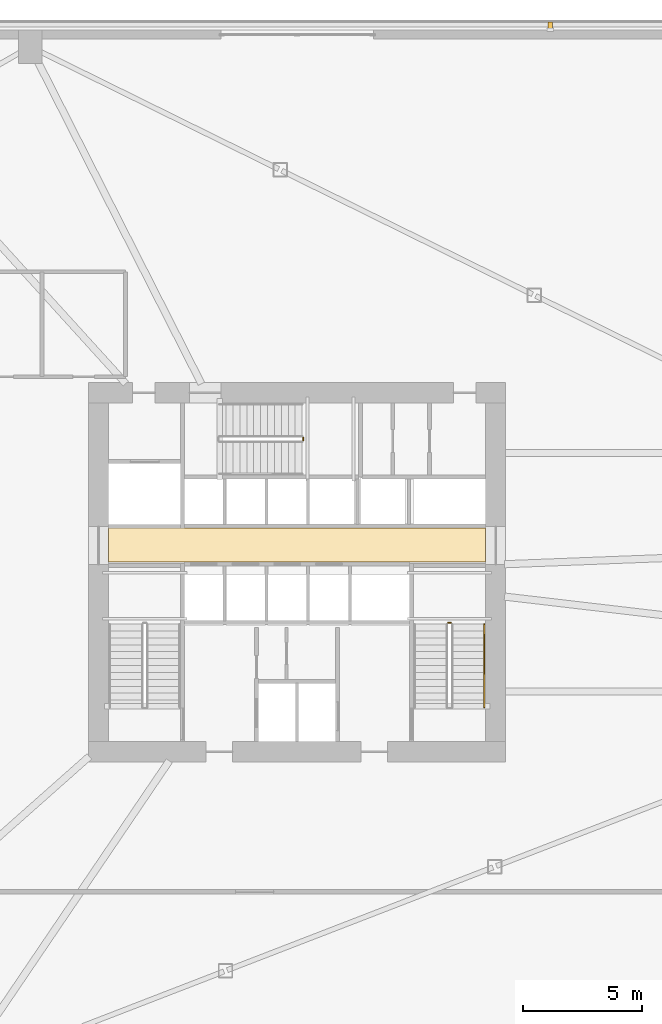
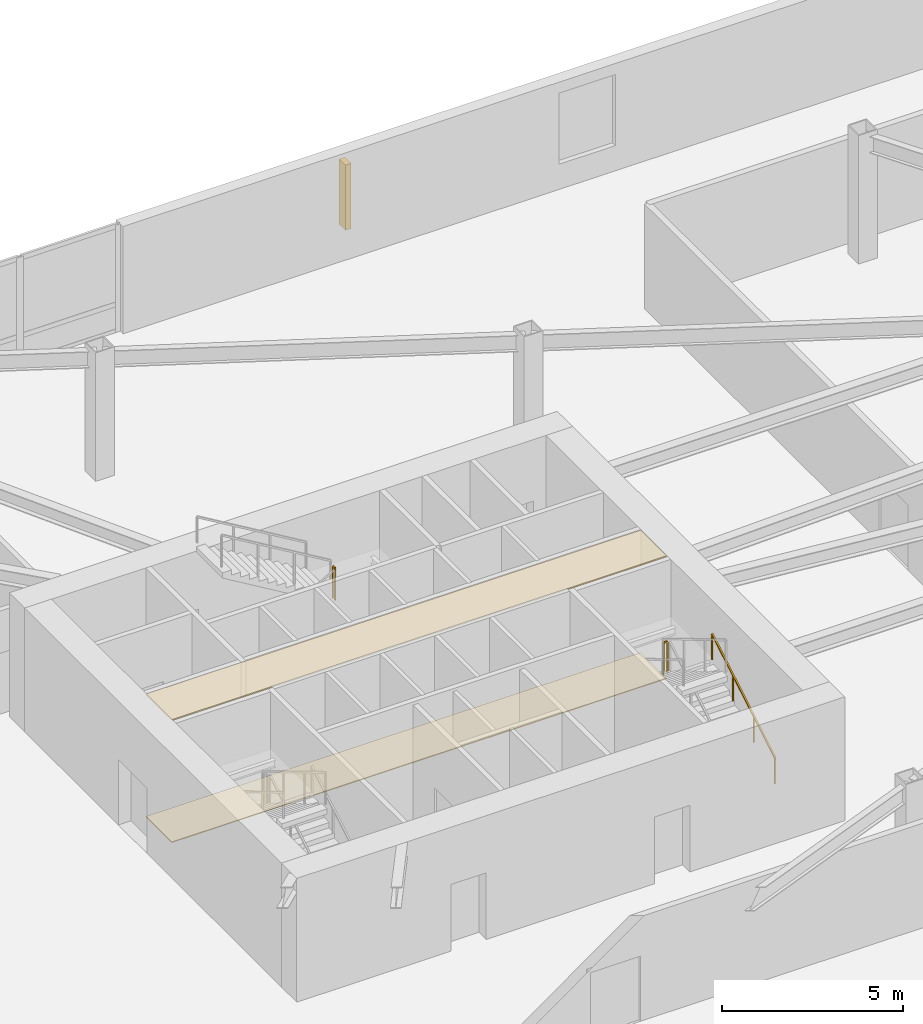
# One storey, part 15 of 16: 3 railings, 2 coverings, 1 shading device.
"""IFC4 building model written with IfcOpenShell, lengths in metres."""

import ifcopenshell
import ifcopenshell.guid

model = None  # the IFC model being written
_history = None  # IfcOwnerHistory: only IFC2X3 demands one
_inside = {}  # id of a spatial element -> (the spatial element, [elements in it])
_under = {}  # id of a project, library or spatial element -> (it, [spatial elements below it])
_declared = {}  # id of a project -> (the project, [libraries it declares])
_typed = {}  # id of a type object -> (the type object, [elements of that type])
_made_of = {}  # id of a material, layer set ... -> (it, [elements and type objects made of it])


def new_model(schema):
    """Start an empty IFC model of exactly this schema.

    Asked for "IFC4X3", IfcOpenShell would pick the latest addendum, in which some entities
    have other attributes; the version numbers below select the first issue.
    IFC2X3 requires an IfcOwnerHistory on every rooted entity: one is made here for all.
    """
    global model, _history
    if schema == "IFC4X3":
        model = ifcopenshell.file(schema_version=(4, 3, 0, 0))
    else:
        model = ifcopenshell.file(schema=schema)
    _inside.clear()
    _under.clear()
    _declared.clear()
    _typed.clear()
    _made_of.clear()
    _history = None
    if model.schema == "IFC2X3":
        org = make("IfcOrganization", Name="unknown")
        user = make(
            "IfcPersonAndOrganization",
            ThePerson=make("IfcPerson", FamilyName="unknown"),
            TheOrganization=org,
        )
        app = make(
            "IfcApplication",
            ApplicationDeveloper=org,
            Version="unknown",
            ApplicationFullName="unknown",
            ApplicationIdentifier="unknown",
        )
        _history = make(
            "IfcOwnerHistory",
            OwningUser=user,
            OwningApplication=app,
            ChangeAction="ADDED",
            CreationDate=0,
        )
    return model


def make(cls, **values):
    """One entity of the class cls with the attributes given. An attribute that is None is left unset."""
    return model.create_entity(
        cls, **{name: value for name, value in values.items() if value is not None}
    )


def rooted(cls, **values):
    """An entity with a GlobalId (a new one), such as an element, a storey or a relation."""
    return make(cls, GlobalId=ifcopenshell.guid.new(), OwnerHistory=_history, **values)


def si_unit(unit_type, name, prefix=None):
    """IfcSIUnit, for example si_unit("LENGTHUNIT", "METRE", prefix="MILLI")."""
    return make("IfcSIUnit", UnitType=unit_type, Prefix=prefix, Name=name)


def assignment(units):
    """IfcUnitAssignment: the units of a project."""
    return None if units is None else make("IfcUnitAssignment", Units=units)


def point(xyz):
    """IfcCartesianPoint."""
    return None if xyz is None else make("IfcCartesianPoint", Coordinates=xyz)


def direction(xyz):
    """IfcDirection."""
    return None if xyz is None else make("IfcDirection", DirectionRatios=xyz)


def frame(location, z_axis=None, x_axis=None):
    """IfcAxis2Placement3D, a coordinate frame: its origin and axes. An axis left out is left unset."""
    return make(
        "IfcAxis2Placement3D",
        Location=point(location),
        Axis=direction(z_axis),
        RefDirection=direction(x_axis),
    )


def frame_2d(location, x_axis=None):
    """IfcAxis2Placement2D, a coordinate frame in the plane: its origin and x axis."""
    return make(
        "IfcAxis2Placement2D", Location=point(location), RefDirection=direction(x_axis)
    )


def origin():
    """The frame at (0, 0, 0) with its axes left unset."""
    return frame((0.0, 0.0, 0.0))


def origin_2d():
    """The frame at (0, 0) in the plane with its x axis left unset."""
    return frame_2d((0.0, 0.0))


def place(relative_to, where):
    """IfcLocalPlacement: puts the frame where relative to a parent placement (None: the world)."""
    return make(
        "IfcLocalPlacement", PlacementRelTo=relative_to, RelativePlacement=where
    )


def context(
    kind, dimensions, precision=None, world=None, true_north=None, identifier=None
):
    """IfcGeometricRepresentationContext, for example the 3D "Model" context."""
    return make(
        "IfcGeometricRepresentationContext",
        ContextIdentifier=identifier,
        ContextType=kind,
        CoordinateSpaceDimension=dimensions,
        Precision=precision,
        WorldCoordinateSystem=world,
        TrueNorth=true_north,
    )


def subcontext(parent, identifier, kind, view, scale=None):
    """IfcGeometricRepresentationSubContext, for example "Body" below "Model"."""
    return make(
        "IfcGeometricRepresentationSubContext",
        ContextIdentifier=identifier,
        ContextType=kind,
        ParentContext=parent,
        TargetScale=scale,
        TargetView=view,
    )


def project(units=None, contexts=None):
    """IfcProject with its units and contexts."""
    return rooted(
        "IfcProject",
        Name="project",
        RepresentationContexts=contexts,
        UnitsInContext=assignment(units),
    )


def spatial(cls, under=None, at=None, **own):
    """A site, building, storey or space (cls), placed at a placement, below another one or the project."""
    s = rooted(cls, ObjectPlacement=at, **own)
    if under is not None:
        _under.setdefault(under.id(), (under, []))[1].append(s)
    return s


def polyline(points):
    """IfcPolyline through the points."""
    return make("IfcPolyline", Points=[point(p) for p in points])


def profile(cls, at=None, kind="AREA", **sizes):
    """A parametric profile (cls). Its sizes go by their IFC names, for example OverallWidth=200.0."""
    return make(cls, ProfileType=kind, Position=at, **sizes)


def rectangle(**sizes):
    """IfcRectangleProfileDef."""
    return profile("IfcRectangleProfileDef", **sizes)


def outline(outer, holes=None, kind="AREA"):
    """IfcArbitraryClosedProfileDef: a profile drawn as a closed curve; with holes, ...WithVoids."""
    if holes is None:
        return make("IfcArbitraryClosedProfileDef", ProfileType=kind, OuterCurve=outer)
    return make(
        "IfcArbitraryProfileDefWithVoids",
        ProfileType=kind,
        OuterCurve=outer,
        InnerCurves=holes,
    )


def extrude(swept, where, along, depth):
    """IfcExtrudedAreaSolid: the profile swept, set in the frame where, extruded along a direction by depth."""
    return make(
        "IfcExtrudedAreaSolid",
        SweptArea=swept,
        Position=where,
        ExtrudedDirection=direction(along),
        Depth=depth,
    )


def shape(context_of_items, identifier, shape_type, items):
    """IfcShapeRepresentation: the items that make up one representation, for example the "Body"."""
    return make(
        "IfcShapeRepresentation",
        ContextOfItems=context_of_items,
        RepresentationIdentifier=identifier,
        RepresentationType=shape_type,
        Items=items,
    )


def source(mapping_origin, context_of_items, identifier, shape_type, items):
    """IfcRepresentationMap: a shape defined once, which mapped items show again and again."""
    return make(
        "IfcRepresentationMap",
        MappingOrigin=mapping_origin,
        MappedRepresentation=shape(context_of_items, identifier, shape_type, items),
    )


def transform(
    local_origin,
    x_axis=None,
    y_axis=None,
    z_axis=None,
    scale=None,
    scale2=None,
    scale3=None,
    uniform=True,
):
    """IfcCartesianTransformationOperator3D, or its non-uniform kind. x_axis, y_axis, z_axis: its Axis1, 2, 3."""
    if uniform:
        return make(
            "IfcCartesianTransformationOperator3D",
            Axis1=direction(x_axis),
            Axis2=direction(y_axis),
            LocalOrigin=point(local_origin),
            Scale=scale,
            Axis3=direction(z_axis),
        )
    return make(
        "IfcCartesianTransformationOperator3DnonUniform",
        Axis1=direction(x_axis),
        Axis2=direction(y_axis),
        LocalOrigin=point(local_origin),
        Scale=scale,
        Axis3=direction(z_axis),
        Scale2=scale2,
        Scale3=scale3,
    )


def mapped(mapping_source, mapping_target):
    """IfcMappedItem: shows the shape of a source again, moved by a transform."""
    return make(
        "IfcMappedItem", MappingSource=mapping_source, MappingTarget=mapping_target
    )


def material(Name=None, Category=None):
    """IfcMaterial."""
    return make("IfcMaterial", Name=Name, Category=Category)


def layer(
    of_material, thickness, ventilated=None, Name=None, Category=None, Priority=None
):
    """IfcMaterialLayer: one layer of a wall or slab, of a material (None: an air gap)."""
    return make(
        "IfcMaterialLayer",
        Material=of_material,
        LayerThickness=thickness,
        IsVentilated=ventilated,
        Name=Name,
        Category=Category,
        Priority=Priority,
    )


def layer_set(layers, Name=None):
    """IfcMaterialLayerSet."""
    return make("IfcMaterialLayerSet", MaterialLayers=layers, LayerSetName=Name)


def made_of(thing, what):
    """Note that an element or type object is made of a material, layer set ...; save() writes the relation."""
    if what is not None:
        _made_of.setdefault(what.id(), (what, []))[1].append(thing)
    return thing


def type_object(cls, material=None, **own):
    """A type object (cls), such as IfcWallType, which elements share."""
    return made_of(rooted(cls, **own), material)


def element(
    cls,
    number,
    at=None,
    inside=None,
    cuts=None,
    type_object=None,
    material=None,
    context=None,
    identifier="Body",
    shape_type=None,
    held_by="IfcProductDefinitionShape",
    body=None,
    shapes=None,
    **own,
):
    """One element of the class cls, such as IfcWall. Its Tag is "e" and its number.

    at: its placement. inside: the storey or other place that contains it. cuts: it is an
    opening in that element (IfcRelVoidsElement). A single representation is given by context,
    identifier, shape_type and body (its items); several are given by shapes. held_by: the class
    of the entity that holds the representations. save() writes the other relations.
    """
    e = rooted(cls, Tag="e%d" % number, ObjectPlacement=at, **own)
    if body is not None:
        shapes = [shape(context, identifier, shape_type, body)]
    if shapes is not None:
        e.Representation = make(held_by, Representations=shapes)
    if inside is not None:
        _inside.setdefault(inside.id(), (inside, []))[1].append(e)
    if cuts is not None:
        rooted(
            "IfcRelVoidsElement", RelatingBuildingElement=cuts, RelatedOpeningElement=e
        )
    if type_object is not None:
        _typed.setdefault(type_object.id(), (type_object, []))[1].append(e)
    return made_of(e, material)


def aggregate(whole, parts):
    """IfcRelAggregates: a whole, such as a stair, and the parts it consists of."""
    return rooted("IfcRelAggregates", RelatingObject=whole, RelatedObjects=parts)


def save(model, path):
    """Write the relations noted so far, then the file.

    IfcRelAggregates (storeys below a building ...), IfcRelContainedInSpatialStructure (elements
    in a storey), IfcRelDefinesByType, IfcRelAssociatesMaterial and IfcRelDeclares: one each for
    every whole, place, type object, material and project.
    """
    for whole, parts in _under.values():
        aggregate(whole, parts)
    for where, things in _inside.values():
        rooted(
            "IfcRelContainedInSpatialStructure",
            RelatedElements=things,
            RelatingStructure=where,
        )
    for kind, things in _typed.values():
        rooted("IfcRelDefinesByType", RelatedObjects=things, RelatingType=kind)
    for what, things in _made_of.values():
        rooted("IfcRelAssociatesMaterial", RelatedObjects=things, RelatingMaterial=what)
    for by, libraries in _declared.values():
        rooted("IfcRelDeclares", RelatingContext=by, RelatedDefinitions=libraries)
    model.write(path)


model = new_model("IFC4")

# Units and contexts
model_context = context("Model", 3, precision=1e-05, world=origin(), true_north=direction((0.0, 1.0)))
body_context = subcontext(model_context, "Body", "Model", "MODEL_VIEW")
ifc_project = project(units=[si_unit("LENGTHUNIT", "METRE"), si_unit("AREAUNIT", "SQUARE_METRE"), si_unit("VOLUMEUNIT", "CUBIC_METRE"), si_unit("PLANEANGLEUNIT", "RADIAN"), si_unit("MASSUNIT", "GRAM", prefix="KILO")], contexts=[model_context])

# Site, building, storey
site_placement = place(None, origin())
site = spatial("IfcSite", under=ifc_project, at=site_placement, CompositionType="ELEMENT")
building_placement = place(site_placement, origin())
building = spatial("IfcBuilding", under=site, at=building_placement, Name="Olszyna Solenne Hotel", CompositionType="ELEMENT")
storey_placement = place(building_placement, frame((0.0, 0.0, 15.60009765625)))
storey = spatial("IfcBuildingStorey", under=building, at=storey_placement, Name="L03", CompositionType="ELEMENT", Elevation=15.60009765625)

# Coverings
ifc_material_1 = material(Name="Mineral wool acoustic ceiling")
ifc_layer_1 = layer(ifc_material_1, 0.0400390625, Name="Mineral wool acoustic ceiling")
ifc_layer_set_1 = layer_set([ifc_layer_1], Name="Mineral wool acoustic ceiling")
covering_type_1 = type_object("IfcCoveringType", Name="CL-AC1", PredefinedType="CEILING", material=ifc_layer_set_1)
covering_1_placement = place(storey_placement, frame((0.0, 0.0, 4.119873046875)))
element("IfcCovering", 1, at=covering_1_placement, inside=storey, type_object=covering_type_1, Name="Lift lobby acoustic tile ceiling CL-L03-01", PredefinedType="CEILING", context=body_context, shape_type="SweptSolid", body=[
    extrude(outline(polyline([(30.10009765625, 27.030029296875), (45.89990234375, 27.030029296875), (45.89990234375, 28.4599609375), (30.10009765625, 28.4599609375), (30.10009765625, 27.030029296875)])), origin(), (0.0, 0.0, 1.0), 0.0400390625),
])
ifc_material_2 = material(Name="Ceramic floor tile")
ifc_layer_2 = layer(ifc_material_2, 0.030029296875, Name="Ceramic floor tile")
ifc_layer_set_2 = layer_set([ifc_layer_2], Name="Ceramic floor tile")
covering_type_2 = type_object("IfcCoveringType", Name="FL-TL1", PredefinedType="FLOORING", material=ifc_layer_set_2)
covering_2_placement = place(storey_placement, origin())
element("IfcCovering", 2, at=covering_2_placement, inside=storey, type_object=covering_type_2, Name="Lift lobby stoneware floor finish FLR-L03-01", PredefinedType="FLOORING", context=body_context, shape_type="SweptSolid", body=[
    extrude(outline(polyline([(30.10009765625, 27.030029296875), (45.89990234375, 27.030029296875), (45.89990234375, 28.4599609375), (30.10009765625, 28.4599609375), (30.10009765625, 27.030029296875)])), origin(), (0.0, 0.0, 1.0), 0.02978515625),
])

# Railings
ifc_material_3 = material(Name="Anodised bronze aluminium", Category="aluminium")
railing_type_1 = type_object("IfcRailingType", Name="GR-110", PredefinedType="BALUSTRADE", material=ifc_material_3)
railing_1_placement = place(storey_placement, frame((44.449951171875, 24.47998046875, 2.25)))
element("IfcRailing", 3, at=railing_1_placement, inside=storey, type_object=railing_type_1, Name="L03 ST2 stair guard 2", PredefinedType="BALUSTRADE", context=body_context, shape_type="SweptSolid", body=[
    extrude(rectangle(XDim=0.048095703125, YDim=0.048095703125, at=origin_2d()), frame((0.0, 0.0, 1.076171875), z_axis=(-1.0, 0.0, 0.0), x_axis=(0.0, -1.0, 0.0)), (0.0, 0.0, 1.0), 0.119873046875),
    extrude(rectangle(XDim=0.0419921875, YDim=0.0419921875, at=origin_2d()), origin(), (0.0, 0.0, 1.0), 1.052001953125),
    extrude(rectangle(XDim=0.0419921875, YDim=0.0419921875, at=origin_2d()), frame((-0.119873046875, 0.0, 0.0)), (0.0, 0.0, 1.0), 1.052001953125),
])
railing_2_placement = place(storey_placement, frame((38.260009765625, 32.1298828125, 2.25)))
element("IfcRailing", 4, at=railing_2_placement, inside=storey, type_object=railing_type_1, Name="L03 ST3 stair guard 2", PredefinedType="BALUSTRADE", context=body_context, shape_type="SweptSolid", body=[
    extrude(rectangle(XDim=0.048095703125, YDim=0.048095703125, at=origin_2d()), frame((0.0, 0.0, 1.076171875), z_axis=(0.0, 1.0, 0.0), x_axis=(-1.0, 0.0, 0.0)), (0.0, 0.0, 1.0), 0.1201171875),
    extrude(rectangle(XDim=0.0419921875, YDim=0.0419921875, at=origin_2d()), origin(), (0.0, 0.0, 1.0), 1.052001953125),
    extrude(rectangle(XDim=0.0419921875, YDim=0.0419921875, at=origin_2d()), frame((0.0, 0.1201171875, 0.0)), (0.0, 0.0, 1.0), 1.052001953125),
])
ifc_material_4 = material(Name="Steel S355J2", Category="steel")
railing_type_2 = type_object("IfcRailingType", Name="HR-090", PredefinedType="HANDRAIL", material=ifc_material_4)
railing_3_placement = place(storey_placement, frame((45.85009765625, 20.949951171875, 0.173095703125)))
element("IfcRailing", 5, at=railing_3_placement, inside=storey, type_object=railing_type_2, Name="L03 ST2 stair handrail 1", PredefinedType="HANDRAIL", context=body_context, shape_type="SweptSolid", body=[
    extrude(rectangle(XDim=0.048095703125, YDim=0.048095703125, at=origin_2d()), frame((0.0, 0.0, 0.8759765625), z_axis=(0.0, 0.858697190188, 0.512483302717), x_axis=(-1.0, 0.0, 0.0)), (0.0, 0.0, 1.0), 4.052734375),
    extrude(rectangle(XDim=0.0419921875, YDim=0.0419921875, at=origin_2d()), origin(), (0.0, 0.0, 1.0), 0.851806640625),
    extrude(rectangle(XDim=0.0419921875, YDim=0.0419921875, at=origin_2d()), frame((0.0, 1.159912109375, 0.6923828125)), (0.0, 0.0, 1.0), 0.851806640625),
    extrude(rectangle(XDim=0.0419921875, YDim=0.0419921875, at=origin_2d()), frame((0.0, 2.320068359375, 1.384521484375)), (0.0, 0.0, 1.0), 0.851806640625),
    extrude(rectangle(XDim=0.0419921875, YDim=0.0419921875, at=origin_2d()), frame((0.0, 3.47998046875, 2.076904296875)), (0.0, 0.0, 1.0), 0.851806640625),
])

# Shading device
ifc_material_5 = material(Name="Terracotta cladding", Category="masonry")
shading_device_type = type_object("IfcShadingDeviceType", Name="SH-FN1", PredefinedType="USERDEFINED", material=ifc_material_5)
shared_shape = source(origin(), body_context, "Body", "SweptSolid", [
    extrude(rectangle(XDim=0.179931640625, YDim=0.35009765625, at=origin_2d()), origin(), (0.0, 0.0, 1.0), 2.199951171875),
])
shading_device_placement = place(storey_placement, frame((48.612548828125, 49.510009765625, 0.69970703125), z_axis=(0.0, 0.0, 1.0), x_axis=(1.0, 0.0, 0.0)))
element("IfcShadingDevice", 6, at=shading_device_placement, inside=storey, type_object=shading_device_type, Name="Vertical terracotta facade fin FN-L03-NE", ObjectType="FIN", PredefinedType="USERDEFINED", context=body_context, shape_type="MappedRepresentation", body=[
    mapped(shared_shape, transform((0.0, 0.0, 0.0), x_axis=(1.0, 0.0, 0.0), y_axis=(0.0, 1.0, 0.0), z_axis=(0.0, 0.0, 1.0), scale=1.0)),
])

save(model, "model.ifc")
